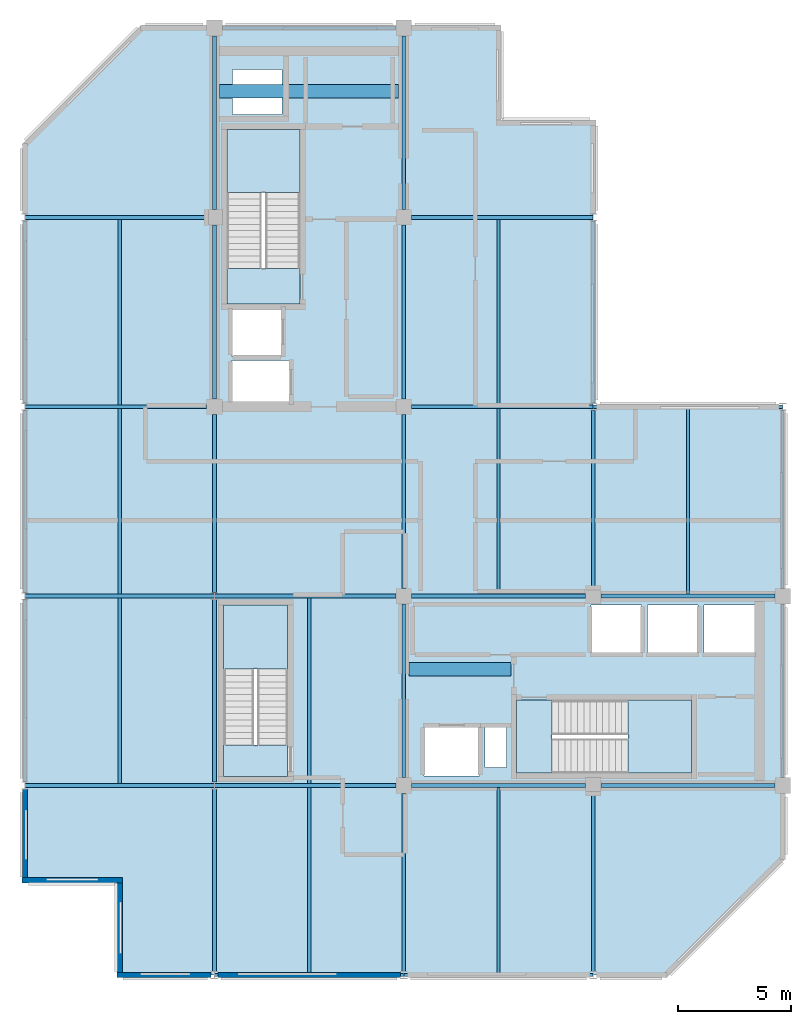
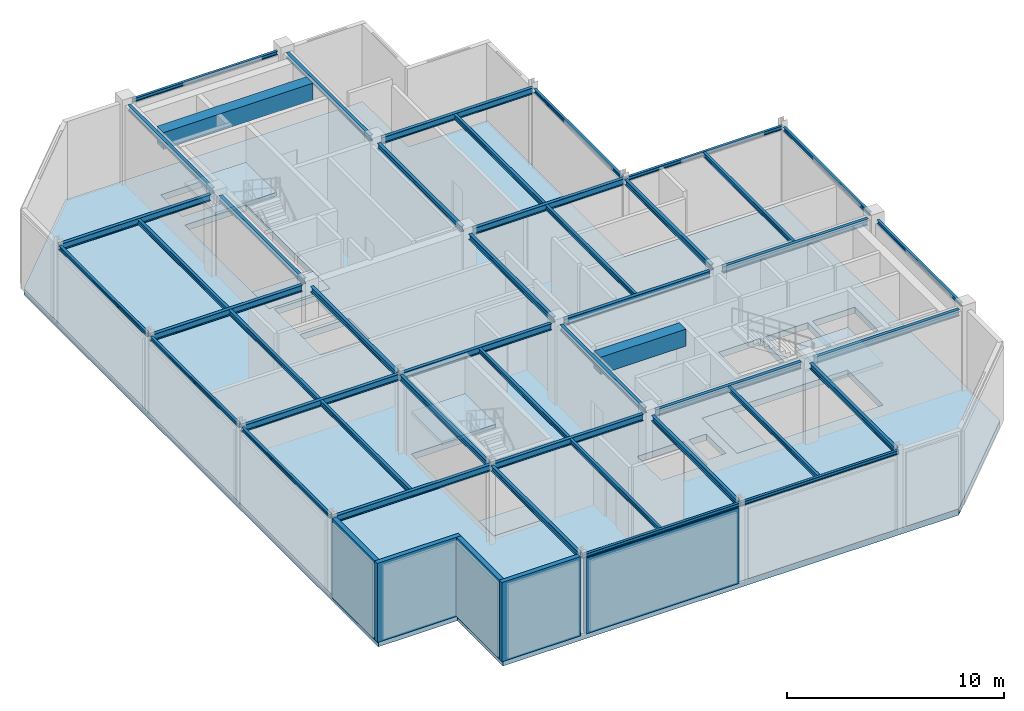
# One storey, part 3 of 9: 45 beams, 7 slabs, 5 walls, 3 elements without a shape of their own.
"""IFC4 building model written with IfcOpenShell, lengths in metres."""

from ifc_helpers import new_model, si_unit, direction, frame, frame_2d, origin, origin_2d, place, context, subcontext, project, spatial, polyline, rectangle, i_section, outline, extrude, material, layer, layer_set, material_profile, profile_set, type_object, element, aggregate, save


model = new_model("IFC4")

# Units and contexts
model_context = context("Model", 3, precision=1e-05, world=origin(), true_north=direction((0.0, 1.0)))
body_context = subcontext(model_context, "Body", "Model", "MODEL_VIEW")
ifc_project = project(units=[si_unit("LENGTHUNIT", "METRE"), si_unit("AREAUNIT", "SQUARE_METRE"), si_unit("VOLUMEUNIT", "CUBIC_METRE"), si_unit("PLANEANGLEUNIT", "RADIAN"), si_unit("MASSUNIT", "GRAM", prefix="KILO")], contexts=[model_context])

# Site, building, storey
site_placement = place(None, origin())
site = spatial("IfcSite", under=ifc_project, at=site_placement, CompositionType="ELEMENT")
building_placement = place(site_placement, origin())
building = spatial("IfcBuilding", under=site, at=building_placement, Name="Nerrivon Quay Data Exchange", CompositionType="ELEMENT")
storey_placement = place(building_placement, frame((0.0, 0.0, 322.199951171875)))
storey = spatial("IfcBuildingStorey", under=building, at=storey_placement, Name="L77", CompositionType="ELEMENT", Elevation=322.199951171875)

# Beams
ifc_material_1 = material(Name="Concrete N50 (50 MPa)", Category="concrete")
ifc_material_profile_1 = material_profile(ifc_material_1, rectangle(XDim=0.60009765625, YDim=0.949951171875, at=origin_2d()), Name="RC-CB-600x950")
ifc_profile_set_1 = profile_set([ifc_material_profile_1], Name="Concrete N50 (50 MPa)")
beam_type_1 = type_object("IfcBeamType", Name="BM-CB2-600x950", PredefinedType="LINTEL", material=ifc_profile_set_1)
beam_1_placement = place(storey_placement, frame((8.625, 39.199951171875, 3.97509765625), z_axis=(1.0, 0.0, 0.0), x_axis=(0.0, 1.0, 0.0)))
element("IfcBeam", 1, at=beam_1_placement, inside=storey, type_object=beam_type_1, Name="L77 West Core Coupling Beam", PredefinedType="LINTEL", context=body_context, shape_type="SweptSolid", body=[
    extrude(rectangle(XDim=0.60009765625, YDim=0.949951171875, at=origin_2d()), origin(), (0.0, 0.0, 1.0), 7.949951171875),
])
beam_2_placement = place(storey_placement, frame((17.02490234375, 13.550048828125, 3.97509765625), z_axis=(1.0, 0.0, 0.0), x_axis=(0.0, 1.0, 0.0)))
element("IfcBeam", 2, at=beam_2_placement, inside=storey, type_object=beam_type_1, Name="L77 East Core Coupling Beam", PredefinedType="LINTEL", context=body_context, shape_type="SweptSolid", body=[
    extrude(rectangle(XDim=0.60009765625, YDim=0.949951171875, at=origin_2d()), origin(), (0.0, 0.0, 1.0), 4.530029296875),
])
ifc_material_2 = material(Name="Steel Grade 350", Category="steel")
ifc_material_profile_2 = material_profile(ifc_material_2, i_section(OverallWidth=0.172119140625, OverallDepth=0.35888671875, WebThickness=0.008056640625, FlangeThickness=0.012939453125, FilletRadius=0.011474609375, at=origin_2d()), Name="360UB56.7")
ifc_profile_set_2 = profile_set([ifc_material_profile_2], Name="Steel Grade 350")
beam_type_2 = type_object("IfcBeamType", Name="BM-J3-360UB57", PredefinedType="JOIST", material=ifc_profile_set_2)
beam_3_placement = place(storey_placement, frame((0.006103515625, 8.39990234375, 4.2705078125), z_axis=(1.0, 0.0, 0.0), x_axis=(0.0, 1.0, 0.0)))
element("IfcBeam", 3, at=beam_3_placement, inside=storey, type_object=beam_type_2, Name="L77 EW Girder Y=8.4 (0.0..8.4)", PredefinedType="JOIST", context=body_context, shape_type="SweptSolid", body=[
    extrude(i_section(OverallWidth=0.172119140625, OverallDepth=0.35888671875, WebThickness=0.008056640625, FlangeThickness=0.012939453125, FilletRadius=0.011474609375, at=origin_2d()), origin(), (0.0, 0.0, 1.0), 8.387939453125),
])
beam_4_placement = place(storey_placement, frame((8.406005859375, 8.39990234375, 4.2705078125), z_axis=(1.0, 0.0, 0.0), x_axis=(0.0, 1.0, 0.0)))
element("IfcBeam", 4, at=beam_4_placement, inside=storey, type_object=beam_type_2, Name="L77 EW Girder Y=8.4 (8.4..16.8)", PredefinedType="JOIST", context=body_context, shape_type="SweptSolid", body=[
    extrude(i_section(OverallWidth=0.172119140625, OverallDepth=0.35888671875, WebThickness=0.008056640625, FlangeThickness=0.012939453125, FilletRadius=0.011474609375, at=origin_2d()), origin(), (0.0, 0.0, 1.0), 8.0439453125),
])
beam_5_placement = place(storey_placement, frame((17.14990234375, 8.39990234375, 4.2705078125), z_axis=(1.0, 0.0, 0.0), x_axis=(0.0, 1.0, 0.0)))
element("IfcBeam", 5, at=beam_5_placement, inside=storey, type_object=beam_type_2, Name="L77 EW Girder Y=8.4 (16.8..25.2)", PredefinedType="JOIST", context=body_context, shape_type="SweptSolid", body=[
    extrude(i_section(OverallWidth=0.172119140625, OverallDepth=0.35888671875, WebThickness=0.008056640625, FlangeThickness=0.012939453125, FilletRadius=0.011474609375, at=origin_2d()), origin(), (0.0, 0.0, 1.0), 7.7001953125),
])
beam_6_placement = place(storey_placement, frame((25.550048828125, 8.39990234375, 4.2705078125), z_axis=(1.0, 0.0, 0.0), x_axis=(0.0, 1.0, 0.0)))
element("IfcBeam", 6, at=beam_6_placement, inside=storey, type_object=beam_type_2, Name="L77 EW Girder Y=8.4 (25.2..33.6)", PredefinedType="JOIST", context=body_context, shape_type="SweptSolid", body=[
    extrude(i_section(OverallWidth=0.172119140625, OverallDepth=0.35888671875, WebThickness=0.008056640625, FlangeThickness=0.012939453125, FilletRadius=0.011474609375, at=origin_2d()), origin(), (0.0, 0.0, 1.0), 7.699951171875),
])
beam_7_placement = place(storey_placement, frame((0.006103515625, 16.800048828125, 4.2705078125), z_axis=(1.0, 0.0, 0.0), x_axis=(0.0, 1.0, 0.0)))
element("IfcBeam", 7, at=beam_7_placement, inside=storey, type_object=beam_type_2, Name="L77 EW Girder Y=16.8 (0.0..8.4)", PredefinedType="JOIST", context=body_context, shape_type="SweptSolid", body=[
    extrude(i_section(OverallWidth=0.172119140625, OverallDepth=0.35888671875, WebThickness=0.008056640625, FlangeThickness=0.012939453125, FilletRadius=0.011474609375, at=origin_2d()), origin(), (0.0, 0.0, 1.0), 8.387939453125),
])
beam_8_placement = place(storey_placement, frame((8.406005859375, 16.800048828125, 4.2705078125), z_axis=(1.0, 0.0, 0.0), x_axis=(0.0, 1.0, 0.0)))
element("IfcBeam", 8, at=beam_8_placement, inside=storey, type_object=beam_type_2, Name="L77 EW Girder Y=16.8 (8.4..16.8)", PredefinedType="JOIST", context=body_context, shape_type="SweptSolid", body=[
    extrude(i_section(OverallWidth=0.172119140625, OverallDepth=0.35888671875, WebThickness=0.008056640625, FlangeThickness=0.012939453125, FilletRadius=0.011474609375, at=origin_2d()), origin(), (0.0, 0.0, 1.0), 8.0439453125),
])
beam_9_placement = place(storey_placement, frame((17.14990234375, 16.800048828125, 4.2705078125), z_axis=(1.0, 0.0, 0.0), x_axis=(0.0, 1.0, 0.0)))
element("IfcBeam", 9, at=beam_9_placement, inside=storey, type_object=beam_type_2, Name="L77 EW Girder Y=16.8 (16.8..25.2)", PredefinedType="JOIST", context=body_context, shape_type="SweptSolid", body=[
    extrude(i_section(OverallWidth=0.172119140625, OverallDepth=0.35888671875, WebThickness=0.008056640625, FlangeThickness=0.012939453125, FilletRadius=0.011474609375, at=origin_2d()), origin(), (0.0, 0.0, 1.0), 7.7001953125),
])
beam_10_placement = place(storey_placement, frame((25.550048828125, 16.800048828125, 4.2705078125), z_axis=(1.0, 0.0, 0.0), x_axis=(0.0, 1.0, 0.0)))
element("IfcBeam", 10, at=beam_10_placement, inside=storey, type_object=beam_type_2, Name="L77 EW Girder Y=16.8 (25.2..33.6)", PredefinedType="JOIST", context=body_context, shape_type="SweptSolid", body=[
    extrude(i_section(OverallWidth=0.172119140625, OverallDepth=0.35888671875, WebThickness=0.008056640625, FlangeThickness=0.012939453125, FilletRadius=0.011474609375, at=origin_2d()), origin(), (0.0, 0.0, 1.0), 7.699951171875),
])
beam_11_placement = place(storey_placement, frame((0.006103515625, 25.199951171875, 4.2705078125), z_axis=(1.0, 0.0, 0.0), x_axis=(0.0, 1.0, 0.0)))
element("IfcBeam", 11, at=beam_11_placement, inside=storey, type_object=beam_type_2, Name="L77 EW Girder Y=25.2 (0.0..8.4)", PredefinedType="JOIST", context=body_context, shape_type="SweptSolid", body=[
    extrude(i_section(OverallWidth=0.172119140625, OverallDepth=0.35888671875, WebThickness=0.008056640625, FlangeThickness=0.012939453125, FilletRadius=0.011474609375, at=origin_2d()), origin(), (0.0, 0.0, 1.0), 8.0439453125),
])
beam_12_placement = place(storey_placement, frame((17.14990234375, 25.199951171875, 4.2705078125), z_axis=(1.0, 0.0, 0.0), x_axis=(0.0, 1.0, 0.0)))
element("IfcBeam", 12, at=beam_12_placement, inside=storey, type_object=beam_type_2, Name="L77 EW Girder Y=25.2 (16.8..25.2)", PredefinedType="JOIST", context=body_context, shape_type="SweptSolid", body=[
    extrude(i_section(OverallWidth=0.172119140625, OverallDepth=0.35888671875, WebThickness=0.008056640625, FlangeThickness=0.012939453125, FilletRadius=0.011474609375, at=origin_2d()), origin(), (0.0, 0.0, 1.0), 8.044189453125),
])
beam_13_placement = place(storey_placement, frame((0.006103515625, 33.60009765625, 4.2705078125), z_axis=(1.0, 0.0, 0.0), x_axis=(0.0, 1.0, 0.0)))
element("IfcBeam", 13, at=beam_13_placement, inside=storey, type_object=beam_type_2, Name="L77 EW Girder Y=33.6 (0.0..8.4)", PredefinedType="JOIST", context=body_context, shape_type="SweptSolid", body=[
    extrude(i_section(OverallWidth=0.172119140625, OverallDepth=0.35888671875, WebThickness=0.008056640625, FlangeThickness=0.012939453125, FilletRadius=0.011474609375, at=origin_2d()), origin(), (0.0, 0.0, 1.0), 8.0439453125),
])
beam_14_placement = place(storey_placement, frame((17.14990234375, 33.60009765625, 4.2705078125), z_axis=(1.0, 0.0, 0.0), x_axis=(0.0, 1.0, 0.0)))
element("IfcBeam", 14, at=beam_14_placement, inside=storey, type_object=beam_type_2, Name="L77 EW Girder Y=33.6 (16.8..25.2)", PredefinedType="JOIST", context=body_context, shape_type="SweptSolid", body=[
    extrude(i_section(OverallWidth=0.172119140625, OverallDepth=0.35888671875, WebThickness=0.008056640625, FlangeThickness=0.012939453125, FilletRadius=0.011474609375, at=origin_2d()), origin(), (0.0, 0.0, 1.0), 8.044189453125),
])
ifc_material_profile_3 = material_profile(ifc_material_2, i_section(OverallWidth=0.166015625, OverallDepth=0.306884765625, WebThickness=0.006591796875, FlangeThickness=0.01171875, FilletRadius=0.011474609375, at=origin_2d()), Name="310UB46.2")
ifc_profile_set_3 = profile_set([ifc_material_profile_3], Name="Steel Grade 350")
beam_type_3 = type_object("IfcBeamType", Name="BM-J5-310UB46", PredefinedType="JOIST", material=ifc_profile_set_3)
for number, where, z_axis, x_axis, name in (
    (15, (8.39990234375, 0.157470703125, 4.296630859375), (0.0, 1.0, 0.0), (-1.0, 0.0, 0.0), "L77 NS Girder X=8.4 (0.0..8.4)"),
    (16, (8.39990234375, 8.5576171875, 4.296630859375), (0.0, 1.0, 0.0), (-1.0, 0.0, 0.0), "L77 NS Girder X=8.4 (8.4..16.8)"),
):
    element("IfcBeam", number, at=place(storey_placement, frame(where, z_axis=z_axis, x_axis=x_axis)), inside=storey, type_object=beam_type_3, Name=name, PredefinedType="JOIST", context=body_context, shape_type="SweptSolid", body=[
        extrude(i_section(OverallWidth=0.166015625, OverallDepth=0.306884765625, WebThickness=0.006591796875, FlangeThickness=0.01171875, FilletRadius=0.011474609375, at=origin_2d()), origin(), (0.0, 0.0, 1.0), 8.0849609375),
    ])
beam_15_placement = place(storey_placement, frame((8.39990234375, 16.95751953125, 4.296630859375), z_axis=(0.0, 1.0, 0.0), x_axis=(-1.0, 0.0, 0.0)))
element("IfcBeam", 17, at=beam_15_placement, inside=storey, type_object=beam_type_3, Name="L77 NS Girder X=8.4 (16.8..25.2)", PredefinedType="JOIST", context=body_context, shape_type="SweptSolid", body=[
    extrude(i_section(OverallWidth=0.166015625, OverallDepth=0.306884765625, WebThickness=0.006591796875, FlangeThickness=0.01171875, FilletRadius=0.011474609375, at=origin_2d()), origin(), (0.0, 0.0, 1.0), 7.892578125),
])
for number, where, z_axis, x_axis, name in (
    (18, (8.39990234375, 25.550048828125, 4.296630859375), (0.0, 1.0, 0.0), (-1.0, 0.0, 0.0), "L77 NS Girder X=8.4 (25.2..33.6)"),
    (19, (8.39990234375, 33.949951171875, 4.296630859375), (0.0, 1.0, 0.0), (-1.0, 0.0, 0.0), "L77 NS Girder X=8.4 (33.6..42.0)"),
):
    element("IfcBeam", number, at=place(storey_placement, frame(where, z_axis=z_axis, x_axis=x_axis)), inside=storey, type_object=beam_type_3, Name=name, PredefinedType="JOIST", context=body_context, shape_type="SweptSolid", body=[
        extrude(i_section(OverallWidth=0.166015625, OverallDepth=0.306884765625, WebThickness=0.006591796875, FlangeThickness=0.01171875, FilletRadius=0.011474609375, at=origin_2d()), origin(), (0.0, 0.0, 1.0), 7.699951171875),
    ])
beam_16_placement = place(storey_placement, frame((16.800048828125, 0.157470703125, 4.296630859375), z_axis=(0.0, 1.0, 0.0), x_axis=(-1.0, 0.0, 0.0)))
element("IfcBeam", 20, at=beam_16_placement, inside=storey, type_object=beam_type_3, Name="L77 NS Girder X=16.8 (0.0..8.4)", PredefinedType="JOIST", context=body_context, shape_type="SweptSolid", body=[
    extrude(i_section(OverallWidth=0.166015625, OverallDepth=0.306884765625, WebThickness=0.006591796875, FlangeThickness=0.01171875, FilletRadius=0.011474609375, at=origin_2d()), origin(), (0.0, 0.0, 1.0), 7.892578125),
])
beam_17_placement = place(storey_placement, frame((16.800048828125, 8.75, 4.296630859375), z_axis=(0.0, 1.0, 0.0), x_axis=(-1.0, 0.0, 0.0)))
element("IfcBeam", 21, at=beam_17_placement, inside=storey, type_object=beam_type_3, Name="L77 NS Girder X=16.8 (8.4..16.8)", PredefinedType="JOIST", context=body_context, shape_type="SweptSolid", body=[
    extrude(i_section(OverallWidth=0.166015625, OverallDepth=0.306884765625, WebThickness=0.006591796875, FlangeThickness=0.01171875, FilletRadius=0.011474609375, at=origin_2d()), origin(), (0.0, 0.0, 1.0), 7.699951171875),
])
beam_18_placement = place(storey_placement, frame((16.800048828125, 17.14990234375, 4.296630859375), z_axis=(0.0, 1.0, 0.0), x_axis=(-1.0, 0.0, 0.0)))
element("IfcBeam", 22, at=beam_18_placement, inside=storey, type_object=beam_type_3, Name="L77 NS Girder X=16.8 (16.8..25.2)", PredefinedType="JOIST", context=body_context, shape_type="SweptSolid", body=[
    extrude(i_section(OverallWidth=0.166015625, OverallDepth=0.306884765625, WebThickness=0.006591796875, FlangeThickness=0.01171875, FilletRadius=0.011474609375, at=origin_2d()), origin(), (0.0, 0.0, 1.0), 7.7001953125),
])
for number, where, z_axis, x_axis, name in (
    (23, (16.800048828125, 25.550048828125, 4.296630859375), (0.0, 1.0, 0.0), (-1.0, 0.0, 0.0), "L77 NS Girder X=16.8 (25.2..33.6)"),
    (24, (16.800048828125, 33.949951171875, 4.296630859375), (0.0, 1.0, 0.0), (-1.0, 0.0, 0.0), "L77 NS Girder X=16.8 (33.6..42.0)"),
):
    element("IfcBeam", number, at=place(storey_placement, frame(where, z_axis=z_axis, x_axis=x_axis)), inside=storey, type_object=beam_type_3, Name=name, PredefinedType="JOIST", context=body_context, shape_type="SweptSolid", body=[
        extrude(i_section(OverallWidth=0.166015625, OverallDepth=0.306884765625, WebThickness=0.006591796875, FlangeThickness=0.01171875, FilletRadius=0.011474609375, at=origin_2d()), origin(), (0.0, 0.0, 1.0), 7.699951171875),
    ])
for number, where, z_axis, x_axis, name in (
    (25, (25.199951171875, 0.157470703125, 4.296630859375), (0.0, 1.0, 0.0), (-1.0, 0.0, 0.0), "L77 NS Girder X=25.2 (0.0..8.4)"),
    (26, (25.199951171875, 17.14990234375, 4.296630859375), (0.0, 1.0, 0.0), (-1.0, 0.0, 0.0), "L77 NS Girder X=25.2 (16.8..25.2)"),
):
    element("IfcBeam", number, at=place(storey_placement, frame(where, z_axis=z_axis, x_axis=x_axis)), inside=storey, type_object=beam_type_3, Name=name, PredefinedType="JOIST", context=body_context, shape_type="SweptSolid", body=[
        extrude(i_section(OverallWidth=0.166015625, OverallDepth=0.306884765625, WebThickness=0.006591796875, FlangeThickness=0.01171875, FilletRadius=0.011474609375, at=origin_2d()), origin(), (0.0, 0.0, 1.0), 7.892578125),
    ])
ifc_material_profile_4 = material_profile(ifc_material_2, i_section(OverallWidth=0.14599609375, OverallDepth=0.256103515625, WebThickness=0.00634765625, FlangeThickness=0.010986328125, FilletRadius=0.0087890625, at=origin_2d()), Name="250UB37.3")
ifc_profile_set_4 = profile_set([ifc_material_profile_4], Name="Steel Grade 350")
beam_type_4 = type_object("IfcBeamType", Name="BM-J7-250UB37", PredefinedType="JOIST", material=ifc_profile_set_4)
for number, where, z_axis, x_axis, name in (
    (27, (4.199951171875, 8.486083984375, 4.322021484375), (0.0, 1.0, 0.0), (-1.0, 0.0, 0.0), "L77 Secondary Joist X=4.2 (8.4..16.8)"),
    (28, (4.199951171875, 16.885986328125, 4.322021484375), (0.0, 1.0, 0.0), (-1.0, 0.0, 0.0), "L77 Secondary Joist X=4.2 (16.8..25.2)"),
    (29, (4.199951171875, 25.285888671875, 4.322021484375), (0.0, 1.0, 0.0), (-1.0, 0.0, 0.0), "L77 Secondary Joist X=4.2 (25.2..33.6)"),
):
    element("IfcBeam", number, at=place(storey_placement, frame(where, z_axis=z_axis, x_axis=x_axis)), inside=storey, type_object=beam_type_4, Name=name, PredefinedType="JOIST", context=body_context, shape_type="SweptSolid", body=[
        extrude(i_section(OverallWidth=0.14599609375, OverallDepth=0.256103515625, WebThickness=0.00634765625, FlangeThickness=0.010986328125, FilletRadius=0.0087890625, at=origin_2d()), origin(), (0.0, 0.0, 1.0), 8.22802734375),
    ])
beam_19_placement = place(storey_placement, frame((12.60009765625, 0.06689453125, 4.322021484375), z_axis=(0.0, 1.0, 0.0), x_axis=(-1.0, 0.0, 0.0)))
element("IfcBeam", 30, at=beam_19_placement, inside=storey, type_object=beam_type_4, Name="L77 Secondary Joist X=12.6 (0.0..8.4)", PredefinedType="JOIST", context=body_context, shape_type="SweptSolid", body=[
    extrude(i_section(OverallWidth=0.14599609375, OverallDepth=0.256103515625, WebThickness=0.00634765625, FlangeThickness=0.010986328125, FilletRadius=0.0087890625, at=origin_2d()), origin(), (0.0, 0.0, 1.0), 8.2470703125),
])
beam_20_placement = place(storey_placement, frame((12.60009765625, 8.486083984375, 4.322021484375), z_axis=(0.0, 1.0, 0.0), x_axis=(-1.0, 0.0, 0.0)))
element("IfcBeam", 31, at=beam_20_placement, inside=storey, type_object=beam_type_4, Name="L77 Secondary Joist X=12.6 (8.4..16.8)", PredefinedType="JOIST", context=body_context, shape_type="SweptSolid", body=[
    extrude(i_section(OverallWidth=0.14599609375, OverallDepth=0.256103515625, WebThickness=0.00634765625, FlangeThickness=0.010986328125, FilletRadius=0.0087890625, at=origin_2d()), origin(), (0.0, 0.0, 1.0), 8.22802734375),
])
beam_21_placement = place(storey_placement, frame((21.0, 0.06689453125, 4.322021484375), z_axis=(0.0, 1.0, 0.0), x_axis=(-1.0, 0.0, 0.0)))
element("IfcBeam", 32, at=beam_21_placement, inside=storey, type_object=beam_type_4, Name="L77 Secondary Joist X=21.0 (0.0..8.4)", PredefinedType="JOIST", context=body_context, shape_type="SweptSolid", body=[
    extrude(i_section(OverallWidth=0.14599609375, OverallDepth=0.256103515625, WebThickness=0.00634765625, FlangeThickness=0.010986328125, FilletRadius=0.0087890625, at=origin_2d()), origin(), (0.0, 0.0, 1.0), 8.2470703125),
])
for number, where, z_axis, x_axis, name in (
    (33, (21.0, 16.885986328125, 4.322021484375), (0.0, 1.0, 0.0), (-1.0, 0.0, 0.0), "L77 Secondary Joist X=21.0 (16.8..25.2)"),
    (34, (21.0, 25.285888671875, 4.322021484375), (0.0, 1.0, 0.0), (-1.0, 0.0, 0.0), "L77 Secondary Joist X=21.0 (25.2..33.6)"),
):
    element("IfcBeam", number, at=place(storey_placement, frame(where, z_axis=z_axis, x_axis=x_axis)), inside=storey, type_object=beam_type_4, Name=name, PredefinedType="JOIST", context=body_context, shape_type="SweptSolid", body=[
        extrude(i_section(OverallWidth=0.14599609375, OverallDepth=0.256103515625, WebThickness=0.00634765625, FlangeThickness=0.010986328125, FilletRadius=0.0087890625, at=origin_2d()), origin(), (0.0, 0.0, 1.0), 8.22802734375),
    ])
beam_22_placement = place(storey_placement, frame((29.39990234375, 16.885986328125, 4.322021484375), z_axis=(0.0, 1.0, 0.0), x_axis=(-1.0, 0.0, 0.0)))
element("IfcBeam", 35, at=beam_22_placement, inside=storey, type_object=beam_type_4, Name="L77 Secondary Joist X=29.4 (16.8..25.2)", PredefinedType="JOIST", context=body_context, shape_type="SweptSolid", body=[
    extrude(i_section(OverallWidth=0.14599609375, OverallDepth=0.256103515625, WebThickness=0.00634765625, FlangeThickness=0.010986328125, FilletRadius=0.0087890625, at=origin_2d()), origin(), (0.0, 0.0, 1.0), 8.2470703125),
])
ifc_material_profile_5 = material_profile(ifc_material_2, i_section(OverallWidth=0.134033203125, OverallDepth=0.20703125, WebThickness=0.00634765625, FlangeThickness=0.009521484375, FilletRadius=0.0087890625, at=origin_2d()), Name="200UB29.8")
ifc_profile_set_5 = profile_set([ifc_material_profile_5], Name="Steel Grade 350")
beam_type_5 = type_object("IfcBeamType", Name="BM-J8-200UB30", PredefinedType="JOIST", material=ifc_profile_set_5)
for number, where, z_axis, x_axis, name in (
    (36, (8.406005859375, 0.0, 4.346435546875), (1.0, 0.0, 0.0), (0.0, 1.0, 0.0), "L77 EW Girder Y=0.0 (8.4..16.8)"),
    (37, (16.805908203125, 0.0, 4.346435546875), (1.0, 0.0, 0.0), (0.0, 1.0, 0.0), "L77 EW Girder Y=0.0 (16.8..25.2)"),
    (38, (25.205810546875, 25.199951171875, 4.346435546875), (1.0, 0.0, 0.0), (0.0, 1.0, 0.0), "L77 EW Girder Y=25.2 (25.2..33.6)"),
):
    element("IfcBeam", number, at=place(storey_placement, frame(where, z_axis=z_axis, x_axis=x_axis)), inside=storey, type_object=beam_type_5, Name=name, PredefinedType="JOIST", context=body_context, shape_type="SweptSolid", body=[
        extrude(i_section(OverallWidth=0.134033203125, OverallDepth=0.20703125, WebThickness=0.00634765625, FlangeThickness=0.009521484375, FilletRadius=0.0087890625, at=origin_2d()), origin(), (0.0, 0.0, 1.0), 8.38818359375),
    ])
beam_23_placement = place(storey_placement, frame((8.75, 42.0, 4.346435546875), z_axis=(1.0, 0.0, 0.0), x_axis=(0.0, 1.0, 0.0)))
element("IfcBeam", 39, at=beam_23_placement, inside=storey, type_object=beam_type_5, Name="L77 EW Girder Y=42.0 (8.4..16.8)", PredefinedType="JOIST", context=body_context, shape_type="SweptSolid", body=[
    extrude(i_section(OverallWidth=0.134033203125, OverallDepth=0.20703125, WebThickness=0.00634765625, FlangeThickness=0.009521484375, FilletRadius=0.0087890625, at=origin_2d()), origin(), (0.0, 0.0, 1.0), 7.699951171875),
])
for number, where, z_axis, x_axis, name in (
    (40, (0.0, 8.5576171875, 4.346435546875), (0.0, 1.0, 0.0), (-1.0, 0.0, 0.0), "L77 NS Girder X=0.0 (8.4..16.8)"),
    (41, (0.0, 16.95751953125, 4.346435546875), (0.0, 1.0, 0.0), (-1.0, 0.0, 0.0), "L77 NS Girder X=0.0 (16.8..25.2)"),
    (42, (0.0, 25.357421875, 4.346435546875), (0.0, 1.0, 0.0), (-1.0, 0.0, 0.0), "L77 NS Girder X=0.0 (25.2..33.6)"),
    (43, (25.199951171875, 25.357421875, 4.346435546875), (0.0, 1.0, 0.0), (-1.0, 0.0, 0.0), "L77 NS Girder X=25.2 (25.2..33.6)"),
):
    element("IfcBeam", number, at=place(storey_placement, frame(where, z_axis=z_axis, x_axis=x_axis)), inside=storey, type_object=beam_type_5, Name=name, PredefinedType="JOIST", context=body_context, shape_type="SweptSolid", body=[
        extrude(i_section(OverallWidth=0.134033203125, OverallDepth=0.20703125, WebThickness=0.00634765625, FlangeThickness=0.009521484375, FilletRadius=0.0087890625, at=origin_2d()), origin(), (0.0, 0.0, 1.0), 8.0849609375),
    ])
beam_24_placement = place(storey_placement, frame((33.60009765625, 8.75, 4.346435546875), z_axis=(0.0, 1.0, 0.0), x_axis=(-1.0, 0.0, 0.0)))
element("IfcBeam", 44, at=beam_24_placement, inside=storey, type_object=beam_type_5, Name="L77 NS Girder X=33.6 (8.4..16.8)", PredefinedType="JOIST", context=body_context, shape_type="SweptSolid", body=[
    extrude(i_section(OverallWidth=0.134033203125, OverallDepth=0.20703125, WebThickness=0.00634765625, FlangeThickness=0.009521484375, FilletRadius=0.0087890625, at=origin_2d()), origin(), (0.0, 0.0, 1.0), 7.699951171875),
])
beam_25_placement = place(storey_placement, frame((33.60009765625, 17.14990234375, 4.346435546875), z_axis=(0.0, 1.0, 0.0), x_axis=(-1.0, 0.0, 0.0)))
element("IfcBeam", 45, at=beam_25_placement, inside=storey, type_object=beam_type_5, Name="L77 NS Girder X=33.6 (16.8..25.2)", PredefinedType="JOIST", context=body_context, shape_type="SweptSolid", body=[
    extrude(i_section(OverallWidth=0.134033203125, OverallDepth=0.20703125, WebThickness=0.00634765625, FlangeThickness=0.009521484375, FilletRadius=0.0087890625, at=origin_2d()), origin(), (0.0, 0.0, 1.0), 7.892578125),
])

# Stair, slab
stair_type = type_object("IfcStairType", Name="STAIR-DOG-48", PredefinedType="HALF_TURN_STAIR", material=ifc_material_1)
stair_1_placement = place(storey_placement, origin())
stair_1 = element("IfcStair", 46, at=stair_1_placement, inside=storey, type_object=stair_type, Name="L77 West Core Fire Stair ST01", PredefinedType="HALF_TURN_STAIR")
ifc_layer_1 = layer(ifc_material_1, 0.199951171875)
ifc_layer_set_1 = layer_set([ifc_layer_1], Name="Concrete N50 (50 MPa)")
slab_type_1 = type_object("IfcSlabType", Name="SLB-LAND-200", PredefinedType="LANDING", material=ifc_layer_set_1)
slab_1_placement = place(storey_placement, frame((0.0, 0.0, 2.199951171875)))
slab_1 = element("IfcSlab", 47, at=slab_1_placement, type_object=slab_type_1, Name="ST01 landing 1", PredefinedType="LANDING", context=body_context, shape_type="SweptSolid", body=[
    extrude(outline(polyline([(12.199951171875, 34.68994140625), (12.199951171875, 37.5), (8.949951171875, 37.5), (8.949951171875, 34.68994140625), (12.199951171875, 34.68994140625)])), origin(), (0.0, 0.0, 1.0), 0.2001953125),
])
aggregate(stair_1, [slab_1])

# Slab
slab_2_placement = place(storey_placement, frame((0.0, 0.0, -0.199951171875)))
element("IfcSlab", 48, at=slab_2_placement, inside=storey, type_object=slab_type_1, Name="L77 ST01 floor landing", PredefinedType="LANDING", context=body_context, shape_type="SweptSolid", body=[
    extrude(outline(polyline([(12.199951171875, 29.75), (12.199951171875, 31.330078125), (8.949951171875, 31.330078125), (8.949951171875, 29.75), (12.199951171875, 29.75)])), origin(), (0.0, 0.0, 1.0), 0.199951171875),
])

# Stair, slab
stair_2_placement = place(storey_placement, origin())
stair_2 = element("IfcStair", 49, at=stair_2_placement, inside=storey, type_object=stair_type, Name="L77 East Core Fire Stair ST02", PredefinedType="HALF_TURN_STAIR")
slab_3_placement = place(storey_placement, frame((0.0, 0.0, 2.199951171875)))
slab_3 = element("IfcSlab", 50, at=slab_3_placement, type_object=slab_type_1, Name="ST02 landing 1", PredefinedType="LANDING", context=body_context, shape_type="SweptSolid", body=[
    extrude(outline(polyline([(26.739990234375, 8.949951171875), (29.550048828125, 8.949951171875), (29.550048828125, 12.199951171875), (26.739990234375, 12.199951171875), (26.739990234375, 8.949951171875)])), origin(), (0.0, 0.0, 1.0), 0.2001953125),
])
aggregate(stair_2, [slab_3])

# Slab
slab_4_placement = place(storey_placement, frame((0.0, 0.0, -0.199951171875)))
element("IfcSlab", 51, at=slab_4_placement, inside=storey, type_object=slab_type_1, Name="L77 ST02 floor landing", PredefinedType="LANDING", context=body_context, shape_type="SweptSolid", body=[
    extrude(outline(polyline([(21.800048828125, 8.949951171875), (23.3798828125, 8.949951171875), (23.3798828125, 12.199951171875), (21.800048828125, 12.199951171875), (21.800048828125, 8.949951171875)])), origin(), (0.0, 0.0, 1.0), 0.199951171875),
])

# Stair, slab
stair_3_placement = place(storey_placement, origin())
stair_3 = element("IfcStair", 52, at=stair_3_placement, inside=storey, type_object=stair_type, Name="L77 Crown Maintenance Stair ST08", PredefinedType="HALF_TURN_STAIR")
slab_5_placement = place(storey_placement, frame((0.0, 0.0, 2.199951171875)))
slab_5 = element("IfcSlab", 53, at=slab_5_placement, type_object=slab_type_1, Name="ST08 landing 1", PredefinedType="LANDING", context=body_context, shape_type="SweptSolid", body=[
    extrude(outline(polyline([(11.64990234375, 13.56005859375), (11.64990234375, 16.39990234375), (8.800048828125, 16.39990234375), (8.800048828125, 13.56005859375), (11.64990234375, 13.56005859375)])), origin(), (0.0, 0.0, 1.0), 0.2001953125),
])
aggregate(stair_3, [slab_5])

# Slabs
slab_6_placement = place(storey_placement, frame((0.0, 0.0, -0.199951171875)))
element("IfcSlab", 54, at=slab_6_placement, inside=storey, type_object=slab_type_1, Name="L77 ST08 floor landing", PredefinedType="LANDING", context=body_context, shape_type="SweptSolid", body=[
    extrude(outline(polyline([(11.64990234375, 8.800048828125), (11.64990234375, 10.199951171875), (8.800048828125, 10.199951171875), (8.800048828125, 8.800048828125), (11.64990234375, 8.800048828125)])), origin(), (0.0, 0.0, 1.0), 0.199951171875),
])
ifc_material_3 = material(Name="Concrete S65 (65 MPa)", Category="concrete")
ifc_layer_2 = layer(ifc_material_3, 0.35009765625)
ifc_layer_set_2 = layer_set([ifc_layer_2], Name="Concrete S65 (65 MPa)")
slab_type_2 = type_object("IfcSlabType", Name="SLB-TRANS-350", PredefinedType="FLOOR", material=ifc_layer_set_2)
slab_7_placement = place(storey_placement, frame((0.0, 0.0, -0.349853515625)))
element("IfcSlab", 55, at=slab_7_placement, inside=storey, type_object=slab_type_2, Name="L77 Primary Structural Slab", PredefinedType="FLOOR", context=body_context, shape_type="SweptSolid", body=[
    extrude(outline(polyline([(33.60009765625, 25.199951171875), (25.199951171875, 25.199951171875), (25.199951171875, 37.800048828125), (21.0, 37.800048828125), (21.0, 42.0), (5.199951171875, 42.0), (0.0, 36.800048828125), (0.0, 4.199951171875), (4.199951171875, 4.199951171875), (4.199951171875, 0.0), (28.39990234375, 0.0), (33.60009765625, 5.199951171875), (33.60009765625, 25.199951171875)]), holes=[polyline([(8.949951171875, 29.75), (8.949951171875, 37.5), (12.199951171875, 37.5), (12.199951171875, 29.75), (8.949951171875, 29.75)]), polyline([(21.800048828125, 12.199951171875), (29.550048828125, 12.199951171875), (29.550048828125, 8.949951171875), (21.800048828125, 8.949951171875), (21.800048828125, 12.199951171875)]), polyline([(8.800048828125, 8.800048828125), (8.800048828125, 16.39990234375), (11.64990234375, 16.39990234375), (11.64990234375, 8.800048828125), (8.800048828125, 8.800048828125)]), polyline([(30.10009765625, 14.25), (30.10009765625, 16.39990234375), (32.35009765625, 16.39990234375), (32.35009765625, 14.25), (30.10009765625, 14.25)]), polyline([(27.60009765625, 14.25), (27.60009765625, 16.39990234375), (29.85009765625, 16.39990234375), (29.85009765625, 14.25), (27.60009765625, 14.25)]), polyline([(25.10009765625, 14.25), (25.10009765625, 16.39990234375), (27.35009765625, 16.39990234375), (27.35009765625, 14.25), (25.10009765625, 14.25)]), polyline([(20.39990234375, 9.199951171875), (20.39990234375, 11.0), (21.35009765625, 11.0), (21.35009765625, 9.199951171875), (20.39990234375, 9.199951171875)]), polyline([(17.699951171875, 8.830078125), (17.699951171875, 11.030029296875), (20.14990234375, 11.030029296875), (20.14990234375, 8.830078125), (17.699951171875, 8.830078125)]), polyline([(9.14990234375, 25.35009765625), (9.14990234375, 27.25), (11.75, 27.25), (11.75, 25.35009765625), (9.14990234375, 25.35009765625)]), polyline([(9.14990234375, 27.449951171875), (9.14990234375, 29.60009765625), (11.39990234375, 29.60009765625), (11.39990234375, 27.449951171875), (9.14990234375, 27.449951171875)]), polyline([(9.199951171875, 38.14990234375), (9.199951171875, 40.14990234375), (11.39990234375, 40.14990234375), (11.39990234375, 38.14990234375), (9.199951171875, 38.14990234375)])]), origin(), (0.0, 0.0, 1.0), 0.349853515625),
])

# Walls
ifc_material_4 = material(Name="Architectural terracotta precast concrete N50 (50 MPa)", Category="masonry")
ifc_layer_3 = layer(ifc_material_4, 0.239990234375)
ifc_layer_set_3 = layer_set([ifc_layer_3], Name="Architectural terracotta precast concrete N50 (50 MPa)")
wall_type = type_object("IfcWallType", Name="EW-PREC-240", PredefinedType="STANDARD", material=ifc_layer_set_3)
wall_1_placement = place(storey_placement, frame((16.646484375, 0.0, 0.0), z_axis=(0.0, 0.0, 1.0), x_axis=(-1.0, 0.0, 0.0)))
element("IfcWall", 56, at=wall_1_placement, inside=storey, type_object=wall_type, Name="L77 Plant Enclosure Wall 4", PredefinedType="STANDARD", context=body_context, shape_type="SweptSolid", body=[
    extrude(rectangle(XDim=8.093017578125, YDim=0.239990234375, at=frame_2d((4.04638671875, 0.0))), origin(), (0.0, 0.0, 1.0), 4.2431640625),
])
wall_2_placement = place(storey_placement, frame((8.24658203125, 0.0, 0.0), z_axis=(0.0, 0.0, 1.0), x_axis=(-1.0, 0.0, 0.0)))
element("IfcWall", 57, at=wall_2_placement, inside=storey, type_object=wall_type, Name="L77 Plant Enclosure Wall 5", PredefinedType="STANDARD", context=body_context, shape_type="SweptSolid", body=[
    extrude(rectangle(XDim=4.16650390625, YDim=0.239990234375, at=frame_2d((2.083251953125, 0.0))), origin(), (0.0, 0.0, 1.0), 4.449951171875),
])
wall_3_placement = place(storey_placement, frame((4.199951171875, 0.1201171875, 0.0), z_axis=(0.0, 0.0, 1.0), x_axis=(0.0, 1.0, 0.0)))
element("IfcWall", 58, at=wall_3_placement, inside=storey, type_object=wall_type, Name="L77 Plant Enclosure Wall 6", PredefinedType="STANDARD", context=body_context, shape_type="SweptSolid", body=[
    extrude(rectangle(XDim=3.9599609375, YDim=0.239990234375, at=frame_2d((1.97998046875, 0.0))), origin(), (0.0, 0.0, 1.0), 4.449951171875),
])
wall_4_placement = place(storey_placement, frame((4.320068359375, 4.199951171875, 0.0), z_axis=(0.0, 0.0, 1.0), x_axis=(-1.0, 0.0, 0.0)))
element("IfcWall", 59, at=wall_4_placement, inside=storey, type_object=wall_type, Name="L77 Plant Enclosure Wall 7", PredefinedType="STANDARD", context=body_context, shape_type="SweptSolid", body=[
    extrude(rectangle(XDim=4.440185546875, YDim=0.239990234375, at=frame_2d((2.22021484375, 0.0))), origin(), (0.0, 0.0, 1.0), 4.449951171875),
])
wall_5_placement = place(storey_placement, frame((0.0, 4.320068359375, 0.0), z_axis=(0.0, 0.0, 1.0), x_axis=(0.0, 1.0, 0.0)))
element("IfcWall", 60, at=wall_5_placement, inside=storey, type_object=wall_type, Name="L77 Plant Enclosure Wall 8", PredefinedType="STANDARD", context=body_context, shape_type="SweptSolid", body=[
    extrude(rectangle(XDim=3.92236328125, YDim=0.239990234375, at=frame_2d((1.961181640625, 0.0))), origin(), (0.0, 0.0, 1.0), 4.449951171875),
])

save(model, "model.ifc")
